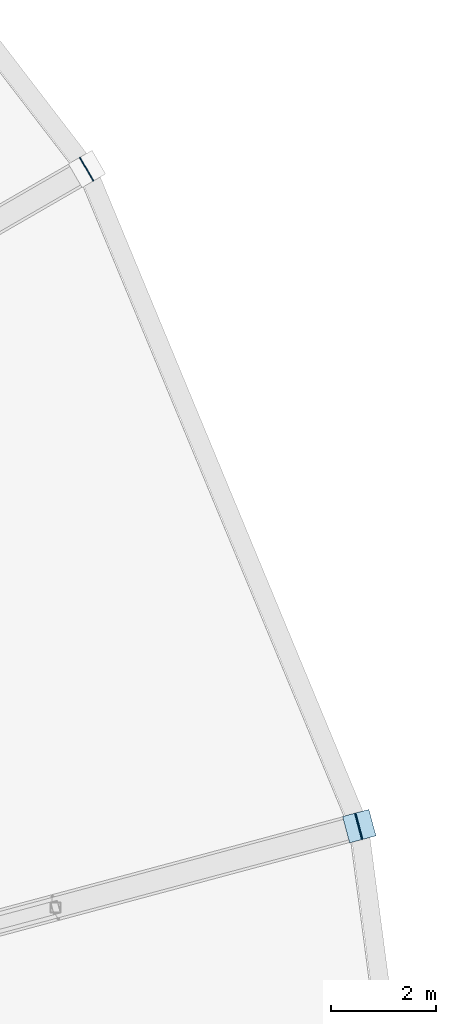
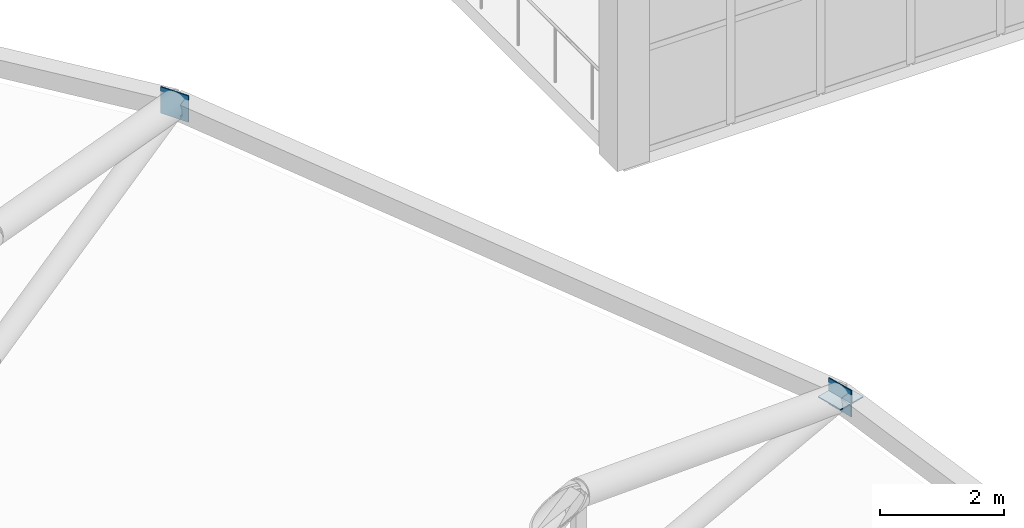
# One storey, part 135 of 167: 3 plates.
"""IFC4 building model written with IfcOpenShell, lengths in metres."""

import ifcopenshell
import ifcopenshell.guid

model = None  # the IFC model being written
_history = None  # IfcOwnerHistory: only IFC2X3 demands one
_inside = {}  # id of a spatial element -> (the spatial element, [elements in it])
_under = {}  # id of a project, library or spatial element -> (it, [spatial elements below it])
_declared = {}  # id of a project -> (the project, [libraries it declares])
_typed = {}  # id of a type object -> (the type object, [elements of that type])
_made_of = {}  # id of a material, layer set ... -> (it, [elements and type objects made of it])


def new_model(schema):
    """Start an empty IFC model of exactly this schema.

    Asked for "IFC4X3", IfcOpenShell would pick the latest addendum, in which some entities
    have other attributes; the version numbers below select the first issue.
    IFC2X3 requires an IfcOwnerHistory on every rooted entity: one is made here for all.
    """
    global model, _history
    if schema == "IFC4X3":
        model = ifcopenshell.file(schema_version=(4, 3, 0, 0))
    else:
        model = ifcopenshell.file(schema=schema)
    _inside.clear()
    _under.clear()
    _declared.clear()
    _typed.clear()
    _made_of.clear()
    _history = None
    if model.schema == "IFC2X3":
        org = make("IfcOrganization", Name="unknown")
        user = make(
            "IfcPersonAndOrganization",
            ThePerson=make("IfcPerson", FamilyName="unknown"),
            TheOrganization=org,
        )
        app = make(
            "IfcApplication",
            ApplicationDeveloper=org,
            Version="unknown",
            ApplicationFullName="unknown",
            ApplicationIdentifier="unknown",
        )
        _history = make(
            "IfcOwnerHistory",
            OwningUser=user,
            OwningApplication=app,
            ChangeAction="ADDED",
            CreationDate=0,
        )
    return model


def make(cls, **values):
    """One entity of the class cls with the attributes given. An attribute that is None is left unset."""
    return model.create_entity(
        cls, **{name: value for name, value in values.items() if value is not None}
    )


def rooted(cls, **values):
    """An entity with a GlobalId (a new one), such as an element, a storey or a relation."""
    return make(cls, GlobalId=ifcopenshell.guid.new(), OwnerHistory=_history, **values)


def si_unit(unit_type, name, prefix=None):
    """IfcSIUnit, for example si_unit("LENGTHUNIT", "METRE", prefix="MILLI")."""
    return make("IfcSIUnit", UnitType=unit_type, Prefix=prefix, Name=name)


def assignment(units):
    """IfcUnitAssignment: the units of a project."""
    return None if units is None else make("IfcUnitAssignment", Units=units)


def point(xyz):
    """IfcCartesianPoint."""
    return None if xyz is None else make("IfcCartesianPoint", Coordinates=xyz)


def direction(xyz):
    """IfcDirection."""
    return None if xyz is None else make("IfcDirection", DirectionRatios=xyz)


def frame(location, z_axis=None, x_axis=None):
    """IfcAxis2Placement3D, a coordinate frame: its origin and axes. An axis left out is left unset."""
    return make(
        "IfcAxis2Placement3D",
        Location=point(location),
        Axis=direction(z_axis),
        RefDirection=direction(x_axis),
    )


def frame_2d(location, x_axis=None):
    """IfcAxis2Placement2D, a coordinate frame in the plane: its origin and x axis."""
    return make(
        "IfcAxis2Placement2D", Location=point(location), RefDirection=direction(x_axis)
    )


def origin():
    """The frame at (0, 0, 0) with its axes left unset."""
    return frame((0.0, 0.0, 0.0))


def origin_2d():
    """The frame at (0, 0) in the plane with its x axis left unset."""
    return frame_2d((0.0, 0.0))


def place(relative_to, where):
    """IfcLocalPlacement: puts the frame where relative to a parent placement (None: the world)."""
    return make(
        "IfcLocalPlacement", PlacementRelTo=relative_to, RelativePlacement=where
    )


def context(
    kind, dimensions, precision=None, world=None, true_north=None, identifier=None
):
    """IfcGeometricRepresentationContext, for example the 3D "Model" context."""
    return make(
        "IfcGeometricRepresentationContext",
        ContextIdentifier=identifier,
        ContextType=kind,
        CoordinateSpaceDimension=dimensions,
        Precision=precision,
        WorldCoordinateSystem=world,
        TrueNorth=true_north,
    )


def subcontext(parent, identifier, kind, view, scale=None):
    """IfcGeometricRepresentationSubContext, for example "Body" below "Model"."""
    return make(
        "IfcGeometricRepresentationSubContext",
        ContextIdentifier=identifier,
        ContextType=kind,
        ParentContext=parent,
        TargetScale=scale,
        TargetView=view,
    )


def project(units=None, contexts=None):
    """IfcProject with its units and contexts."""
    return rooted(
        "IfcProject",
        Name="project",
        RepresentationContexts=contexts,
        UnitsInContext=assignment(units),
    )


def spatial(cls, under=None, at=None, **own):
    """A site, building, storey or space (cls), placed at a placement, below another one or the project."""
    s = rooted(cls, ObjectPlacement=at, **own)
    if under is not None:
        _under.setdefault(under.id(), (under, []))[1].append(s)
    return s


def profile(cls, at=None, kind="AREA", **sizes):
    """A parametric profile (cls). Its sizes go by their IFC names, for example OverallWidth=200.0."""
    return make(cls, ProfileType=kind, Position=at, **sizes)


def rectangle(**sizes):
    """IfcRectangleProfileDef."""
    return profile("IfcRectangleProfileDef", **sizes)


def extrude(swept, where, along, depth):
    """IfcExtrudedAreaSolid: the profile swept, set in the frame where, extruded along a direction by depth."""
    return make(
        "IfcExtrudedAreaSolid",
        SweptArea=swept,
        Position=where,
        ExtrudedDirection=direction(along),
        Depth=depth,
    )


def shape(context_of_items, identifier, shape_type, items):
    """IfcShapeRepresentation: the items that make up one representation, for example the "Body"."""
    return make(
        "IfcShapeRepresentation",
        ContextOfItems=context_of_items,
        RepresentationIdentifier=identifier,
        RepresentationType=shape_type,
        Items=items,
    )


def material(Name=None, Category=None):
    """IfcMaterial."""
    return make("IfcMaterial", Name=Name, Category=Category)


def layer(
    of_material, thickness, ventilated=None, Name=None, Category=None, Priority=None
):
    """IfcMaterialLayer: one layer of a wall or slab, of a material (None: an air gap)."""
    return make(
        "IfcMaterialLayer",
        Material=of_material,
        LayerThickness=thickness,
        IsVentilated=ventilated,
        Name=Name,
        Category=Category,
        Priority=Priority,
    )


def layer_set(layers, Name=None):
    """IfcMaterialLayerSet."""
    return make("IfcMaterialLayerSet", MaterialLayers=layers, LayerSetName=Name)


def made_of(thing, what):
    """Note that an element or type object is made of a material, layer set ...; save() writes the relation."""
    if what is not None:
        _made_of.setdefault(what.id(), (what, []))[1].append(thing)
    return thing


def type_object(cls, material=None, **own):
    """A type object (cls), such as IfcWallType, which elements share."""
    return made_of(rooted(cls, **own), material)


def element(
    cls,
    number,
    at=None,
    inside=None,
    cuts=None,
    type_object=None,
    material=None,
    context=None,
    identifier="Body",
    shape_type=None,
    held_by="IfcProductDefinitionShape",
    body=None,
    shapes=None,
    **own,
):
    """One element of the class cls, such as IfcWall. Its Tag is "e" and its number.

    at: its placement. inside: the storey or other place that contains it. cuts: it is an
    opening in that element (IfcRelVoidsElement). A single representation is given by context,
    identifier, shape_type and body (its items); several are given by shapes. held_by: the class
    of the entity that holds the representations. save() writes the other relations.
    """
    e = rooted(cls, Tag="e%d" % number, ObjectPlacement=at, **own)
    if body is not None:
        shapes = [shape(context, identifier, shape_type, body)]
    if shapes is not None:
        e.Representation = make(held_by, Representations=shapes)
    if inside is not None:
        _inside.setdefault(inside.id(), (inside, []))[1].append(e)
    if cuts is not None:
        rooted(
            "IfcRelVoidsElement", RelatingBuildingElement=cuts, RelatedOpeningElement=e
        )
    if type_object is not None:
        _typed.setdefault(type_object.id(), (type_object, []))[1].append(e)
    return made_of(e, material)


def aggregate(whole, parts):
    """IfcRelAggregates: a whole, such as a stair, and the parts it consists of."""
    return rooted("IfcRelAggregates", RelatingObject=whole, RelatedObjects=parts)


def save(model, path):
    """Write the relations noted so far, then the file.

    IfcRelAggregates (storeys below a building ...), IfcRelContainedInSpatialStructure (elements
    in a storey), IfcRelDefinesByType, IfcRelAssociatesMaterial and IfcRelDeclares: one each for
    every whole, place, type object, material and project.
    """
    for whole, parts in _under.values():
        aggregate(whole, parts)
    for where, things in _inside.values():
        rooted(
            "IfcRelContainedInSpatialStructure",
            RelatedElements=things,
            RelatingStructure=where,
        )
    for kind, things in _typed.values():
        rooted("IfcRelDefinesByType", RelatedObjects=things, RelatingType=kind)
    for what, things in _made_of.values():
        rooted("IfcRelAssociatesMaterial", RelatedObjects=things, RelatingMaterial=what)
    for by, libraries in _declared.values():
        rooted("IfcRelDeclares", RelatingContext=by, RelatedDefinitions=libraries)
    model.write(path)


model = new_model("IFC4")

# Units and contexts
model_context = context("Model", 3, precision=1e-05, world=origin(), true_north=direction((0.0, 1.0)))
body_context = subcontext(model_context, "Body", "Model", "MODEL_VIEW")
ifc_project = project(units=[si_unit("LENGTHUNIT", "METRE"), si_unit("AREAUNIT", "SQUARE_METRE"), si_unit("VOLUMEUNIT", "CUBIC_METRE"), si_unit("PLANEANGLEUNIT", "RADIAN"), si_unit("MASSUNIT", "GRAM", prefix="KILO")], contexts=[model_context])

# Site, building, storey
site_placement = place(None, origin())
site = spatial("IfcSite", under=ifc_project, at=site_placement, CompositionType="ELEMENT")
building_placement = place(site_placement, origin())
building = spatial("IfcBuilding", under=site, at=building_placement, Name="Dornveld Trade and Exhibition Forum", CompositionType="ELEMENT")
storey_placement = place(building_placement, frame((0.0, 0.0, 16.800048828125)))
storey = spatial("IfcBuildingStorey", under=building, at=storey_placement, Name="L03", CompositionType="ELEMENT", Elevation=16.800048828125)

# Plates
ifc_material = material(Name="Steel S355J2", Category="steel")
ifc_layer = layer(ifc_material, 0.02001953125)
ifc_layer_set = layer_set([ifc_layer], Name="Steel S355J2")
plate_type = type_object("IfcPlateType", Name="PL-CAP-520x20", PredefinedType="SHEET", material=ifc_layer_set)
plate_placement = place(storey_placement, frame((167.22802734375, 94.45849609375, 4.7900390625), z_axis=(0.0, 0.0, 1.0), x_axis=(0.965925826289, 0.258819045103, 0.0)))
element("IfcPlate", 1, at=plate_placement, inside=storey, type_object=plate_type, Name="Floating disc tip closure plate 2", PredefinedType="SHEET", context=body_context, shape_type="SweptSolid", body=[
    extrude(rectangle(XDim=0.52001953125, YDim=0.52001953125, at=origin_2d()), origin(), (0.0, 0.0, 1.0), 0.02001953125),
])
for number, where, z_axis, x_axis, name in (
    (2, (167.218017578125, 94.4560546875, 4.5400390625), (0.0, 0.0, 1.0), (0.965925826289, 0.258819045103, 0.0), "Floating roof disc radial tip cap plate 2"),
    (3, (162.02490234375, 106.9951171875, 4.5400390625), (0.0, 0.0, 1.0), (0.866025403784, 0.5, 0.0), "Floating roof disc radial tip cap plate 3"),
):
    element("IfcPlate", number, at=place(storey_placement, frame(where, z_axis=z_axis, x_axis=x_axis)), inside=storey, type_object=plate_type, Name=name, PredefinedType="SHEET", context=body_context, shape_type="SweptSolid", body=[
        extrude(rectangle(XDim=0.02001953125, YDim=0.52001953125, at=origin_2d()), origin(), (0.0, 0.0, 1.0), 0.52001953125),
    ])

save(model, "model.ifc")
